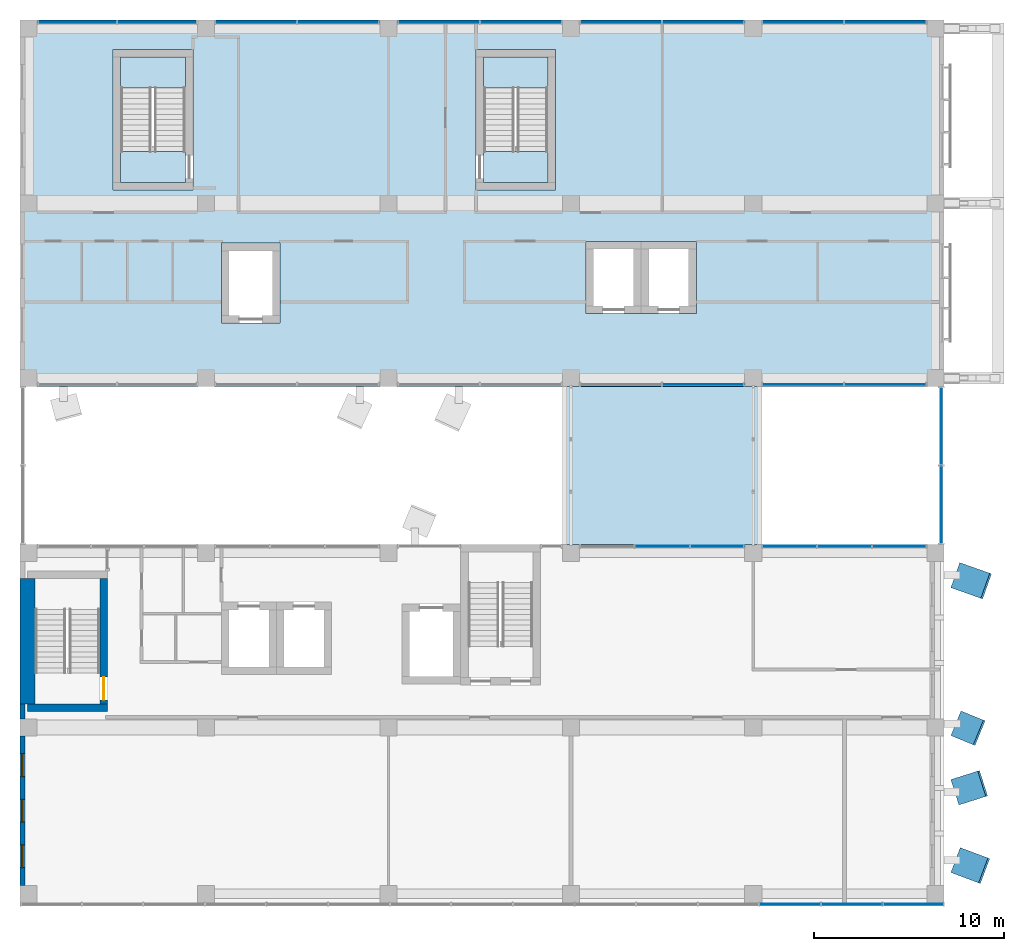
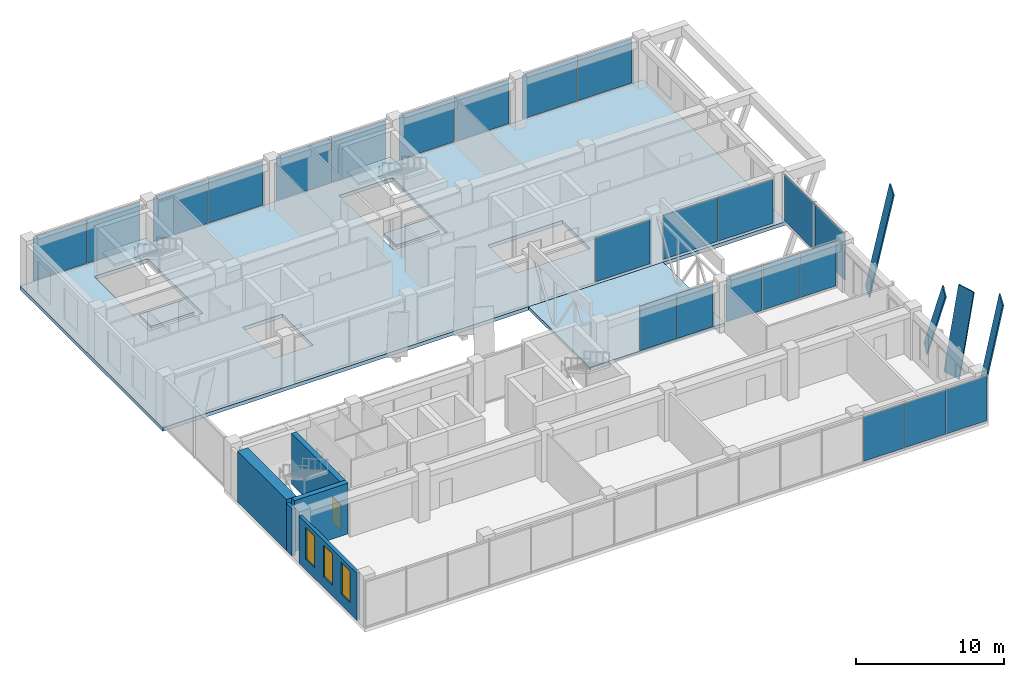
# One storey, part 27 of 38: 27 plates, 6 slabs, 5 walls, 3 windows, 1 door, 4 openings, 13 elements without a shape of their own.
"""IFC4 building model written with IfcOpenShell, lengths in metres."""

import ifcopenshell
import ifcopenshell.guid

model = None  # the IFC model being written
_history = None  # IfcOwnerHistory: only IFC2X3 demands one
_inside = {}  # id of a spatial element -> (the spatial element, [elements in it])
_under = {}  # id of a project, library or spatial element -> (it, [spatial elements below it])
_declared = {}  # id of a project -> (the project, [libraries it declares])
_typed = {}  # id of a type object -> (the type object, [elements of that type])
_made_of = {}  # id of a material, layer set ... -> (it, [elements and type objects made of it])


def new_model(schema):
    """Start an empty IFC model of exactly this schema.

    Asked for "IFC4X3", IfcOpenShell would pick the latest addendum, in which some entities
    have other attributes; the version numbers below select the first issue.
    IFC2X3 requires an IfcOwnerHistory on every rooted entity: one is made here for all.
    """
    global model, _history
    if schema == "IFC4X3":
        model = ifcopenshell.file(schema_version=(4, 3, 0, 0))
    else:
        model = ifcopenshell.file(schema=schema)
    _inside.clear()
    _under.clear()
    _declared.clear()
    _typed.clear()
    _made_of.clear()
    _history = None
    if model.schema == "IFC2X3":
        org = make("IfcOrganization", Name="unknown")
        user = make(
            "IfcPersonAndOrganization",
            ThePerson=make("IfcPerson", FamilyName="unknown"),
            TheOrganization=org,
        )
        app = make(
            "IfcApplication",
            ApplicationDeveloper=org,
            Version="unknown",
            ApplicationFullName="unknown",
            ApplicationIdentifier="unknown",
        )
        _history = make(
            "IfcOwnerHistory",
            OwningUser=user,
            OwningApplication=app,
            ChangeAction="ADDED",
            CreationDate=0,
        )
    return model


def make(cls, **values):
    """One entity of the class cls with the attributes given. An attribute that is None is left unset."""
    return model.create_entity(
        cls, **{name: value for name, value in values.items() if value is not None}
    )


def rooted(cls, **values):
    """An entity with a GlobalId (a new one), such as an element, a storey or a relation."""
    return make(cls, GlobalId=ifcopenshell.guid.new(), OwnerHistory=_history, **values)


def si_unit(unit_type, name, prefix=None):
    """IfcSIUnit, for example si_unit("LENGTHUNIT", "METRE", prefix="MILLI")."""
    return make("IfcSIUnit", UnitType=unit_type, Prefix=prefix, Name=name)


def assignment(units):
    """IfcUnitAssignment: the units of a project."""
    return None if units is None else make("IfcUnitAssignment", Units=units)


def point(xyz):
    """IfcCartesianPoint."""
    return None if xyz is None else make("IfcCartesianPoint", Coordinates=xyz)


def direction(xyz):
    """IfcDirection."""
    return None if xyz is None else make("IfcDirection", DirectionRatios=xyz)


def frame(location, z_axis=None, x_axis=None):
    """IfcAxis2Placement3D, a coordinate frame: its origin and axes. An axis left out is left unset."""
    return make(
        "IfcAxis2Placement3D",
        Location=point(location),
        Axis=direction(z_axis),
        RefDirection=direction(x_axis),
    )


def frame_2d(location, x_axis=None):
    """IfcAxis2Placement2D, a coordinate frame in the plane: its origin and x axis."""
    return make(
        "IfcAxis2Placement2D", Location=point(location), RefDirection=direction(x_axis)
    )


def origin():
    """The frame at (0, 0, 0) with its axes left unset."""
    return frame((0.0, 0.0, 0.0))


def origin_2d():
    """The frame at (0, 0) in the plane with its x axis left unset."""
    return frame_2d((0.0, 0.0))


def place(relative_to, where):
    """IfcLocalPlacement: puts the frame where relative to a parent placement (None: the world)."""
    return make(
        "IfcLocalPlacement", PlacementRelTo=relative_to, RelativePlacement=where
    )


def context(
    kind, dimensions, precision=None, world=None, true_north=None, identifier=None
):
    """IfcGeometricRepresentationContext, for example the 3D "Model" context."""
    return make(
        "IfcGeometricRepresentationContext",
        ContextIdentifier=identifier,
        ContextType=kind,
        CoordinateSpaceDimension=dimensions,
        Precision=precision,
        WorldCoordinateSystem=world,
        TrueNorth=true_north,
    )


def subcontext(parent, identifier, kind, view, scale=None):
    """IfcGeometricRepresentationSubContext, for example "Body" below "Model"."""
    return make(
        "IfcGeometricRepresentationSubContext",
        ContextIdentifier=identifier,
        ContextType=kind,
        ParentContext=parent,
        TargetScale=scale,
        TargetView=view,
    )


def project(units=None, contexts=None):
    """IfcProject with its units and contexts."""
    return rooted(
        "IfcProject",
        Name="project",
        RepresentationContexts=contexts,
        UnitsInContext=assignment(units),
    )


def spatial(cls, under=None, at=None, **own):
    """A site, building, storey or space (cls), placed at a placement, below another one or the project."""
    s = rooted(cls, ObjectPlacement=at, **own)
    if under is not None:
        _under.setdefault(under.id(), (under, []))[1].append(s)
    return s


def polyline(points):
    """IfcPolyline through the points."""
    return make("IfcPolyline", Points=[point(p) for p in points])


def profile(cls, at=None, kind="AREA", **sizes):
    """A parametric profile (cls). Its sizes go by their IFC names, for example OverallWidth=200.0."""
    return make(cls, ProfileType=kind, Position=at, **sizes)


def rectangle(**sizes):
    """IfcRectangleProfileDef."""
    return profile("IfcRectangleProfileDef", **sizes)


def outline(outer, holes=None, kind="AREA"):
    """IfcArbitraryClosedProfileDef: a profile drawn as a closed curve; with holes, ...WithVoids."""
    if holes is None:
        return make("IfcArbitraryClosedProfileDef", ProfileType=kind, OuterCurve=outer)
    return make(
        "IfcArbitraryProfileDefWithVoids",
        ProfileType=kind,
        OuterCurve=outer,
        InnerCurves=holes,
    )


def extrude(swept, where, along, depth):
    """IfcExtrudedAreaSolid: the profile swept, set in the frame where, extruded along a direction by depth."""
    return make(
        "IfcExtrudedAreaSolid",
        SweptArea=swept,
        Position=where,
        ExtrudedDirection=direction(along),
        Depth=depth,
    )


def shape(context_of_items, identifier, shape_type, items):
    """IfcShapeRepresentation: the items that make up one representation, for example the "Body"."""
    return make(
        "IfcShapeRepresentation",
        ContextOfItems=context_of_items,
        RepresentationIdentifier=identifier,
        RepresentationType=shape_type,
        Items=items,
    )


def material(Name=None, Category=None):
    """IfcMaterial."""
    return make("IfcMaterial", Name=Name, Category=Category)


def layer(
    of_material, thickness, ventilated=None, Name=None, Category=None, Priority=None
):
    """IfcMaterialLayer: one layer of a wall or slab, of a material (None: an air gap)."""
    return make(
        "IfcMaterialLayer",
        Material=of_material,
        LayerThickness=thickness,
        IsVentilated=ventilated,
        Name=Name,
        Category=Category,
        Priority=Priority,
    )


def layer_set(layers, Name=None):
    """IfcMaterialLayerSet."""
    return make("IfcMaterialLayerSet", MaterialLayers=layers, LayerSetName=Name)


def layer_usage(for_layer_set, set_direction, sense, offset, extent=None):
    """IfcMaterialLayerSetUsage: how a layer set lies in its element."""
    return make(
        "IfcMaterialLayerSetUsage",
        ForLayerSet=for_layer_set,
        LayerSetDirection=set_direction,
        DirectionSense=sense,
        OffsetFromReferenceLine=offset,
        ReferenceExtent=extent,
    )


def material_profile(
    of_material, cross_section, Name=None, Category=None, Priority=None
):
    """IfcMaterialProfile: a cross section and its material."""
    return make(
        "IfcMaterialProfile",
        Name=Name,
        Material=of_material,
        Profile=cross_section,
        Priority=Priority,
        Category=Category,
    )


def profile_set(profiles, Name=None, composite=None):
    """IfcMaterialProfileSet."""
    return make(
        "IfcMaterialProfileSet",
        Name=Name,
        MaterialProfiles=profiles,
        CompositeProfile=composite,
    )


def made_of(thing, what):
    """Note that an element or type object is made of a material, layer set ...; save() writes the relation."""
    if what is not None:
        _made_of.setdefault(what.id(), (what, []))[1].append(thing)
    return thing


def type_object(cls, material=None, **own):
    """A type object (cls), such as IfcWallType, which elements share."""
    return made_of(rooted(cls, **own), material)


def element(
    cls,
    number,
    at=None,
    inside=None,
    cuts=None,
    type_object=None,
    material=None,
    context=None,
    identifier="Body",
    shape_type=None,
    held_by="IfcProductDefinitionShape",
    body=None,
    shapes=None,
    **own,
):
    """One element of the class cls, such as IfcWall. Its Tag is "e" and its number.

    at: its placement. inside: the storey or other place that contains it. cuts: it is an
    opening in that element (IfcRelVoidsElement). A single representation is given by context,
    identifier, shape_type and body (its items); several are given by shapes. held_by: the class
    of the entity that holds the representations. save() writes the other relations.
    """
    e = rooted(cls, Tag="e%d" % number, ObjectPlacement=at, **own)
    if body is not None:
        shapes = [shape(context, identifier, shape_type, body)]
    if shapes is not None:
        e.Representation = make(held_by, Representations=shapes)
    if inside is not None:
        _inside.setdefault(inside.id(), (inside, []))[1].append(e)
    if cuts is not None:
        rooted(
            "IfcRelVoidsElement", RelatingBuildingElement=cuts, RelatedOpeningElement=e
        )
    if type_object is not None:
        _typed.setdefault(type_object.id(), (type_object, []))[1].append(e)
    return made_of(e, material)


def fill(opening, filler):
    """IfcRelFillsElement: the door or window that sits in an opening."""
    return rooted(
        "IfcRelFillsElement",
        RelatingOpeningElement=opening,
        RelatedBuildingElement=filler,
    )


def aggregate(whole, parts):
    """IfcRelAggregates: a whole, such as a stair, and the parts it consists of."""
    return rooted("IfcRelAggregates", RelatingObject=whole, RelatedObjects=parts)


def save(model, path):
    """Write the relations noted so far, then the file.

    IfcRelAggregates (storeys below a building ...), IfcRelContainedInSpatialStructure (elements
    in a storey), IfcRelDefinesByType, IfcRelAssociatesMaterial and IfcRelDeclares: one each for
    every whole, place, type object, material and project.
    """
    for whole, parts in _under.values():
        aggregate(whole, parts)
    for where, things in _inside.values():
        rooted(
            "IfcRelContainedInSpatialStructure",
            RelatedElements=things,
            RelatingStructure=where,
        )
    for kind, things in _typed.values():
        rooted("IfcRelDefinesByType", RelatedObjects=things, RelatingType=kind)
    for what, things in _made_of.values():
        rooted("IfcRelAssociatesMaterial", RelatedObjects=things, RelatingMaterial=what)
    for by, libraries in _declared.values():
        rooted("IfcRelDeclares", RelatingContext=by, RelatedDefinitions=libraries)
    model.write(path)


model = new_model("IFC4")

# Units and contexts
model_context = context("Model", 3, precision=1e-05, world=origin(), true_north=direction((0.0, 1.0)))
body_context = subcontext(model_context, "Body", "Model", "MODEL_VIEW")
ifc_project = project(units=[si_unit("LENGTHUNIT", "METRE"), si_unit("AREAUNIT", "SQUARE_METRE"), si_unit("VOLUMEUNIT", "CUBIC_METRE"), si_unit("PLANEANGLEUNIT", "RADIAN"), si_unit("MASSUNIT", "GRAM", prefix="KILO")], contexts=[model_context])

# Site, building, storey
site_placement = place(None, origin())
site = spatial("IfcSite", under=ifc_project, at=site_placement, CompositionType="ELEMENT")
building_placement = place(site_placement, origin())
building = spatial("IfcBuilding", under=site, at=building_placement, Name="Nzadi Deep Aquarium and Research Tower", CompositionType="ELEMENT")
storey_placement = place(building_placement, frame((0.0, 0.0, 48.699951171875)))
storey = spatial("IfcBuildingStorey", under=building, at=storey_placement, Name="L09", CompositionType="ELEMENT", Elevation=48.699951171875)

# Plates
ifc_material_1 = material(Name="Anodised aluminium, bright", Category="aluminium")
ifc_material_profile_1 = material_profile(ifc_material_1, rectangle(XDim=1.39990234375, YDim=0.10009765625, at=origin_2d()))
ifc_profile_set_1 = profile_set([ifc_material_profile_1], Name="Anodised aluminium, bright")
plate_type_1 = type_object("IfcPlateType", Name="Fold blade anodised aluminium 1400x100, 4.8 m", PredefinedType="SHEET", material=ifc_profile_set_1)
plate_1_placement = place(storey_placement, frame((49.115478515625, 9.409912109375, 0.013427734375), z_axis=(0.245726908105, -0.100762783059, 0.964087728468), x_axis=(0.379400828582, 0.925232409328, 0.0)))
element("IfcPlate", 1, at=plate_1_placement, inside=storey, type_object=plate_type_1, Name="FD009 fold blade EA L09", PredefinedType="SHEET", context=body_context, shape_type="SweptSolid", body=[
    extrude(rectangle(XDim=1.39990234375, YDim=0.10009765625, at=origin_2d()), origin(), (0.0, 0.0, 1.0), 4.7998046875),
])
ifc_material_2 = material(Name="Anodised aluminium, bright", Category="aluminium")
ifc_material_profile_2 = material_profile(ifc_material_2, rectangle(XDim=1.39990234375, YDim=0.10009765625, at=origin_2d()))
ifc_profile_set_2 = profile_set([ifc_material_profile_2], Name="Anodised aluminium, bright")
plate_type_2 = type_object("IfcPlateType", Name="Fold blade anodised aluminium 1400x100, 6.6 m", PredefinedType="SHEET", material=ifc_profile_set_2)
plate_2_placement = place(storey_placement, frame((49.061767578125, 5.81005859375, 0.01123046875), z_axis=(0.214399181439, 0.067989250429, 0.974376956226), x_axis=(-0.302280308746, 0.953219080246, 0.0)))
element("IfcPlate", 2, at=plate_2_placement, inside=storey, type_object=plate_type_2, Name="FD008 fold blade EA L09", PredefinedType="SHEET", context=body_context, shape_type="SweptSolid", body=[
    extrude(rectangle(XDim=1.39990234375, YDim=0.10009765625, at=origin_2d()), origin(), (0.0, 0.0, 1.0), 6.60009765625),
])
ifc_material_3 = material(Name="Anodised aluminium, bright", Category="aluminium")
ifc_material_profile_3 = material_profile(ifc_material_3, rectangle(XDim=1.39990234375, YDim=0.10009765625, at=origin_2d()))
ifc_profile_set_3 = profile_set([ifc_material_profile_3], Name="Anodised aluminium, bright")
plate_type_3 = type_object("IfcPlateType", Name="Fold blade anodised aluminium 1400x100, 8.4 m", PredefinedType="SHEET", material=ifc_profile_set_3)
plate_3_placement = place(storey_placement, frame((49.09521484375, 2.2099609375, 0.00927734375), z_axis=(0.173893464955, -0.065017496424, 0.982615788599), x_axis=(0.350213969133, 0.936669726117, 0.0)))
element("IfcPlate", 3, at=plate_3_placement, inside=storey, type_object=plate_type_3, Name="FD007 fold blade EA L09", PredefinedType="SHEET", context=body_context, shape_type="SweptSolid", body=[
    extrude(rectangle(XDim=1.39990234375, YDim=0.10009765625, at=origin_2d()), origin(), (0.0, 0.0, 1.0), 8.39990234375),
])
plate_4_placement = place(storey_placement, frame((49.083740234375, 17.2099609375, 0.010009765625), z_axis=(0.187928441923, -0.066556778844, 0.979925046066), x_axis=(0.333841744972, 0.942629136678, 0.0)))
element("IfcPlate", 4, at=plate_4_placement, inside=storey, type_object=plate_type_3, Name="FD010 fold blade EA L09", PredefinedType="SHEET", context=body_context, shape_type="SweptSolid", body=[
    extrude(rectangle(XDim=1.39990234375, YDim=0.10009765625, at=origin_2d()), origin(), (0.0, 0.0, 1.0), 8.400146484375),
])

# Curtain wall, plates
ifc_material_4 = material(Name="Aluminium unitised frame", Category="aluminium")
ifc_layer_1 = layer(ifc_material_4, 0.199951171875)
ifc_layer_set_1 = layer_set([ifc_layer_1], Name="Aluminium unitised frame")
curtain_wall_type_1 = type_object("IfcCurtainWallType", Name="Curtain wall Unitised 200", PredefinedType="NOTDEFINED", material=ifc_layer_set_1)
curtain_wall_1_placement = place(storey_placement, origin())
curtain_wall_1 = element("IfcCurtainWall", 5, at=curtain_wall_1_placement, inside=storey, type_object=curtain_wall_type_1, Name="Unitised curtain wall blade A south L09", PredefinedType="NOTDEFINED")
ifc_material_5 = material(Name="Glass, sage tint", Category="glass")
ifc_layer_2 = layer(ifc_material_5, 0.035888671875)
ifc_layer_set_2 = layer_set([ifc_layer_2], Name="Glass, sage tint")
plate_type_4 = type_object("IfcPlateType", Name="Glazing panel 36 Unitised", PredefinedType="CURTAIN_PANEL", material=ifc_layer_set_2)
plate_5_placement = place(storey_placement, frame((40.341552734375, -0.10009765625, 0.1201171875), z_axis=(0.0, 0.0, 1.0), x_axis=(1.0, 0.0, 0.0)))
plate_5 = element("IfcPlate", 6, at=plate_5_placement, type_object=plate_type_4, Name="CW029 panel 13.1", PredefinedType="CURTAIN_PANEL", context=body_context, shape_type="SweptSolid", body=[
    extrude(rectangle(XDim=3.183349609375, YDim=0.035888671875, at=origin_2d()), origin(), (0.0, 0.0, 1.0), 3.659912109375),
])
plate_6_placement = place(storey_placement, frame((43.5849609375, -0.10009765625, 0.1201171875), z_axis=(0.0, 0.0, 1.0), x_axis=(1.0, 0.0, 0.0)))
plate_6 = element("IfcPlate", 7, at=plate_6_placement, type_object=plate_type_4, Name="CW029 panel 14.1", PredefinedType="CURTAIN_PANEL", context=body_context, shape_type="SweptSolid", body=[
    extrude(rectangle(XDim=3.183349609375, YDim=0.035888671875, at=origin_2d()), origin(), (0.0, 0.0, 1.0), 3.659912109375),
])
plate_7_placement = place(storey_placement, frame((46.813232421875, -0.10009765625, 0.1201171875), z_axis=(0.0, 0.0, 1.0), x_axis=(1.0, 0.0, 0.0)))
plate_7 = element("IfcPlate", 8, at=plate_7_placement, type_object=plate_type_4, Name="CW029 panel 15.1", PredefinedType="CURTAIN_PANEL", context=body_context, shape_type="SweptSolid", body=[
    extrude(rectangle(XDim=3.1533203125, YDim=0.035888671875, at=origin_2d()), origin(), (0.0, 0.0, 1.0), 3.659912109375),
])
aggregate(curtain_wall_1, [plate_5, plate_6, plate_7])

curtain_wall_2_placement = place(storey_placement, origin())
curtain_wall_2 = element("IfcCurtainWall", 9, at=curtain_wall_2_placement, inside=storey, type_object=curtain_wall_type_1, Name="Unitised curtain wall blade A north L09", PredefinedType="NOTDEFINED")
plate_8_placement = place(storey_placement, frame((33.60009765625, 18.75, 0.1201171875), z_axis=(0.0, 0.0, 1.0), x_axis=(1.0, 0.0, 0.0)))
plate_8 = element("IfcPlate", 10, at=plate_8_placement, type_object=plate_type_4, Name="CW034 panel 2.1", PredefinedType="CURTAIN_PANEL", context=body_context, shape_type="SweptSolid", body=[
    extrude(rectangle(XDim=2.840087890625, YDim=0.035888671875, at=origin_2d()), origin(), (0.0, 0.0, 1.0), 3.659912109375),
])
plate_9_placement = place(storey_placement, frame((36.485107421875, 18.75, 0.1201171875), z_axis=(0.0, 0.0, 1.0), x_axis=(1.0, 0.0, 0.0)))
plate_9 = element("IfcPlate", 11, at=plate_9_placement, type_object=plate_type_4, Name="CW034 panel 3.1", PredefinedType="CURTAIN_PANEL", context=body_context, shape_type="SweptSolid", body=[
    extrude(rectangle(XDim=2.81005859375, YDim=0.035888671875, at=origin_2d()), origin(), (0.0, 0.0, 1.0), 3.659912109375),
])
aggregate(curtain_wall_2, [plate_8, plate_9])

curtain_wall_3_placement = place(storey_placement, origin())
curtain_wall_3 = element("IfcCurtainWall", 12, at=curtain_wall_3_placement, inside=storey, type_object=curtain_wall_type_1, Name="Unitised curtain wall blade A north L09", PredefinedType="NOTDEFINED")
plate_10_placement = place(storey_placement, frame((40.31494140625, 18.75, 0.1201171875), z_axis=(0.0, 0.0, 1.0), x_axis=(1.0, 0.0, 0.0)))
plate_10 = element("IfcPlate", 13, at=plate_10_placement, type_object=plate_type_4, Name="CW035 panel 1.1", PredefinedType="CURTAIN_PANEL", context=body_context, shape_type="SweptSolid", body=[
    extrude(rectangle(XDim=2.81005859375, YDim=0.035888671875, at=origin_2d()), origin(), (0.0, 0.0, 1.0), 3.659912109375),
])
plate_11_placement = place(storey_placement, frame((43.199951171875, 18.75, 0.1201171875), z_axis=(0.0, 0.0, 1.0), x_axis=(1.0, 0.0, 0.0)))
plate_11 = element("IfcPlate", 14, at=plate_11_placement, type_object=plate_type_4, Name="CW035 panel 2.1", PredefinedType="CURTAIN_PANEL", context=body_context, shape_type="SweptSolid", body=[
    extrude(rectangle(XDim=2.840087890625, YDim=0.035888671875, at=origin_2d()), origin(), (0.0, 0.0, 1.0), 3.659912109375),
])
plate_12_placement = place(storey_placement, frame((46.0849609375, 18.75, 0.1201171875), z_axis=(0.0, 0.0, 1.0), x_axis=(1.0, 0.0, 0.0)))
plate_12 = element("IfcPlate", 15, at=plate_12_placement, type_object=plate_type_4, Name="CW035 panel 3.1", PredefinedType="CURTAIN_PANEL", context=body_context, shape_type="SweptSolid", body=[
    extrude(rectangle(XDim=2.81005859375, YDim=0.035888671875, at=origin_2d()), origin(), (0.0, 0.0, 1.0), 3.659912109375),
])
aggregate(curtain_wall_3, [plate_10, plate_11, plate_12])

# Curtain wall, plate
ifc_material_6 = material(Name="Aluminium unitised frame deep", Category="aluminium")
ifc_layer_3 = layer(ifc_material_6, 0.22509765625)
ifc_layer_set_3 = layer_set([ifc_layer_3], Name="Aluminium unitised frame deep")
curtain_wall_type_2 = type_object("IfcCurtainWallType", Name="Curtain wall Unitised Deep 225", PredefinedType="NOTDEFINED", material=ifc_layer_set_3)
curtain_wall_4_placement = place(storey_placement, origin())
curtain_wall_4 = element("IfcCurtainWall", 16, at=curtain_wall_4_placement, inside=storey, type_object=curtain_wall_type_2, Name="Unitised curtain wall blade B south L09", PredefinedType="NOTDEFINED")
ifc_material_7 = material(Name="Glass, sage tint", Category="glass")
ifc_layer_4 = layer(ifc_material_7, 0.0400390625)
ifc_layer_set_4 = layer_set([ifc_layer_4], Name="Glass, sage tint")
plate_type_5 = type_object("IfcPlateType", Name="Glazing panel 40 Unitised Deep", PredefinedType="CURTAIN_PANEL", material=ifc_layer_set_4)
plate_13_placement = place(storey_placement, frame((35.760009765625, 27.262451171875, 0.139892578125), z_axis=(0.0, 0.0, 1.0), x_axis=(1.0, 0.0, 0.0)))
plate_13 = element("IfcPlate", 17, at=plate_13_placement, type_object=plate_type_5, Name="CW121 panel 2.1", PredefinedType="CURTAIN_PANEL", context=body_context, shape_type="SweptSolid", body=[
    extrude(rectangle(XDim=4.260009765625, YDim=0.0400390625, at=origin_2d()), origin(), (0.0, 0.0, 1.0), 3.6201171875),
])
aggregate(curtain_wall_4, [plate_13])

# Curtain wall, plates
curtain_wall_5_placement = place(storey_placement, origin())
curtain_wall_5 = element("IfcCurtainWall", 18, at=curtain_wall_5_placement, inside=storey, type_object=curtain_wall_type_2, Name="Unitised curtain wall blade B south L09", PredefinedType="NOTDEFINED")
plate_14_placement = place(storey_placement, frame((41.0400390625, 27.262451171875, 0.139892578125), z_axis=(0.0, 0.0, 1.0), x_axis=(1.0, 0.0, 0.0)))
plate_14 = element("IfcPlate", 19, at=plate_14_placement, type_object=plate_type_5, Name="CW122 panel 1.1", PredefinedType="CURTAIN_PANEL", context=body_context, shape_type="SweptSolid", body=[
    extrude(rectangle(XDim=4.260009765625, YDim=0.0400390625, at=origin_2d()), origin(), (0.0, 0.0, 1.0), 3.6201171875),
])
plate_15_placement = place(storey_placement, frame((45.360107421875, 27.262451171875, 0.139892578125), z_axis=(0.0, 0.0, 1.0), x_axis=(1.0, 0.0, 0.0)))
plate_15 = element("IfcPlate", 20, at=plate_15_placement, type_object=plate_type_5, Name="CW122 panel 2.1", PredefinedType="CURTAIN_PANEL", context=body_context, shape_type="SweptSolid", body=[
    extrude(rectangle(XDim=4.260009765625, YDim=0.0400390625, at=origin_2d()), origin(), (0.0, 0.0, 1.0), 3.6201171875),
])
aggregate(curtain_wall_5, [plate_14, plate_15])

curtain_wall_6_placement = place(storey_placement, origin())
curtain_wall_6 = element("IfcCurtainWall", 21, at=curtain_wall_6_placement, inside=storey, type_object=curtain_wall_type_2, Name="Unitised curtain wall blade B north L09", PredefinedType="NOTDEFINED")
plate_16_placement = place(storey_placement, frame((2.827392578125, 46.33740234375, 0.139892578125), z_axis=(0.0, 0.0, 1.0), x_axis=(1.0, 0.0, 0.0)))
plate_16 = element("IfcPlate", 22, at=plate_16_placement, type_object=plate_type_5, Name="CW123 panel 1.1", PredefinedType="CURTAIN_PANEL", context=body_context, shape_type="SweptSolid", body=[
    extrude(rectangle(XDim=4.135009765625, YDim=0.0400390625, at=origin_2d()), origin(), (0.0, 0.0, 1.0), 3.6201171875),
])
plate_17_placement = place(storey_placement, frame((7.0224609375, 46.33740234375, 0.139892578125), z_axis=(0.0, 0.0, 1.0), x_axis=(1.0, 0.0, 0.0)))
plate_17 = element("IfcPlate", 23, at=plate_17_placement, type_object=plate_type_5, Name="CW123 panel 2.1", PredefinedType="CURTAIN_PANEL", context=body_context, shape_type="SweptSolid", body=[
    extrude(rectangle(XDim=4.135009765625, YDim=0.0400390625, at=origin_2d()), origin(), (0.0, 0.0, 1.0), 3.6201171875),
])
aggregate(curtain_wall_6, [plate_16, plate_17])

curtain_wall_7_placement = place(storey_placement, origin())
curtain_wall_7 = element("IfcCurtainWall", 24, at=curtain_wall_7_placement, inside=storey, type_object=curtain_wall_type_2, Name="Unitised curtain wall blade B north L09", PredefinedType="NOTDEFINED")
plate_18_placement = place(storey_placement, frame((12.239990234375, 46.33740234375, 0.139892578125), z_axis=(0.0, 0.0, 1.0), x_axis=(1.0, 0.0, 0.0)))
plate_18 = element("IfcPlate", 25, at=plate_18_placement, type_object=plate_type_5, Name="CW124 panel 1.1", PredefinedType="CURTAIN_PANEL", context=body_context, shape_type="SweptSolid", body=[
    extrude(rectangle(XDim=4.260009765625, YDim=0.0400390625, at=origin_2d()), origin(), (0.0, 0.0, 1.0), 3.6201171875),
])
plate_19_placement = place(storey_placement, frame((16.56005859375, 46.33740234375, 0.139892578125), z_axis=(0.0, 0.0, 1.0), x_axis=(1.0, 0.0, 0.0)))
plate_19 = element("IfcPlate", 26, at=plate_19_placement, type_object=plate_type_5, Name="CW124 panel 2.1", PredefinedType="CURTAIN_PANEL", context=body_context, shape_type="SweptSolid", body=[
    extrude(rectangle(XDim=4.260009765625, YDim=0.0400390625, at=origin_2d()), origin(), (0.0, 0.0, 1.0), 3.6201171875),
])
aggregate(curtain_wall_7, [plate_18, plate_19])

curtain_wall_8_placement = place(storey_placement, origin())
curtain_wall_8 = element("IfcCurtainWall", 27, at=curtain_wall_8_placement, inside=storey, type_object=curtain_wall_type_2, Name="Unitised curtain wall blade B north L09", PredefinedType="NOTDEFINED")
plate_20_placement = place(storey_placement, frame((21.840087890625, 46.33740234375, 0.139892578125), z_axis=(0.0, 0.0, 1.0), x_axis=(1.0, 0.0, 0.0)))
plate_20 = element("IfcPlate", 28, at=plate_20_placement, type_object=plate_type_5, Name="CW125 panel 1.1", PredefinedType="CURTAIN_PANEL", context=body_context, shape_type="SweptSolid", body=[
    extrude(rectangle(XDim=4.260009765625, YDim=0.0400390625, at=origin_2d()), origin(), (0.0, 0.0, 1.0), 3.6201171875),
])
plate_21_placement = place(storey_placement, frame((26.159912109375, 46.33740234375, 0.139892578125), z_axis=(0.0, 0.0, 1.0), x_axis=(1.0, 0.0, 0.0)))
plate_21 = element("IfcPlate", 29, at=plate_21_placement, type_object=plate_type_5, Name="CW125 panel 2.1", PredefinedType="CURTAIN_PANEL", context=body_context, shape_type="SweptSolid", body=[
    extrude(rectangle(XDim=4.260009765625, YDim=0.0400390625, at=origin_2d()), origin(), (0.0, 0.0, 1.0), 3.6201171875),
])
aggregate(curtain_wall_8, [plate_20, plate_21])

curtain_wall_9_placement = place(storey_placement, origin())
curtain_wall_9 = element("IfcCurtainWall", 30, at=curtain_wall_9_placement, inside=storey, type_object=curtain_wall_type_2, Name="Unitised curtain wall blade B north L09", PredefinedType="NOTDEFINED")
plate_22_placement = place(storey_placement, frame((31.43994140625, 46.33740234375, 0.139892578125), z_axis=(0.0, 0.0, 1.0), x_axis=(1.0, 0.0, 0.0)))
plate_22 = element("IfcPlate", 31, at=plate_22_placement, type_object=plate_type_5, Name="CW126 panel 1.1", PredefinedType="CURTAIN_PANEL", context=body_context, shape_type="SweptSolid", body=[
    extrude(rectangle(XDim=4.260009765625, YDim=0.0400390625, at=origin_2d()), origin(), (0.0, 0.0, 1.0), 3.6201171875),
])
plate_23_placement = place(storey_placement, frame((35.760009765625, 46.33740234375, 0.139892578125), z_axis=(0.0, 0.0, 1.0), x_axis=(1.0, 0.0, 0.0)))
plate_23 = element("IfcPlate", 32, at=plate_23_placement, type_object=plate_type_5, Name="CW126 panel 2.1", PredefinedType="CURTAIN_PANEL", context=body_context, shape_type="SweptSolid", body=[
    extrude(rectangle(XDim=4.260009765625, YDim=0.0400390625, at=origin_2d()), origin(), (0.0, 0.0, 1.0), 3.6201171875),
])
aggregate(curtain_wall_9, [plate_22, plate_23])

curtain_wall_10_placement = place(storey_placement, origin())
curtain_wall_10 = element("IfcCurtainWall", 33, at=curtain_wall_10_placement, inside=storey, type_object=curtain_wall_type_2, Name="Unitised curtain wall blade B north L09", PredefinedType="NOTDEFINED")
plate_24_placement = place(storey_placement, frame((41.0400390625, 46.33740234375, 0.139892578125), z_axis=(0.0, 0.0, 1.0), x_axis=(1.0, 0.0, 0.0)))
plate_24 = element("IfcPlate", 34, at=plate_24_placement, type_object=plate_type_5, Name="CW127 panel 1.1", PredefinedType="CURTAIN_PANEL", context=body_context, shape_type="SweptSolid", body=[
    extrude(rectangle(XDim=4.260009765625, YDim=0.0400390625, at=origin_2d()), origin(), (0.0, 0.0, 1.0), 3.6201171875),
])
plate_25_placement = place(storey_placement, frame((45.360107421875, 46.33740234375, 0.139892578125), z_axis=(0.0, 0.0, 1.0), x_axis=(1.0, 0.0, 0.0)))
plate_25 = element("IfcPlate", 35, at=plate_25_placement, type_object=plate_type_5, Name="CW127 panel 2.1", PredefinedType="CURTAIN_PANEL", context=body_context, shape_type="SweptSolid", body=[
    extrude(rectangle(XDim=4.260009765625, YDim=0.0400390625, at=origin_2d()), origin(), (0.0, 0.0, 1.0), 3.6201171875),
])
aggregate(curtain_wall_10, [plate_24, plate_25])

ifc_material_8 = material(Name="Aluminium unitised frame wind post", Category="aluminium")
ifc_layer_5 = layer(ifc_material_8, 0.300048828125)
ifc_layer_set_5 = layer_set([ifc_layer_5], Name="Aluminium unitised frame wind post")
curtain_wall_type_3 = type_object("IfcCurtainWallType", Name="Curtain wall Slot End 300", PredefinedType="NOTDEFINED", material=ifc_layer_set_5)
curtain_wall_11_placement = place(storey_placement, origin())
curtain_wall_11 = element("IfcCurtainWall", 36, at=curtain_wall_11_placement, inside=storey, type_object=curtain_wall_type_3, Name="Glazed slot end east L09", PredefinedType="NOTDEFINED")
ifc_material_9 = material(Name="Glass, sage tint", Category="glass")
ifc_layer_6 = layer(ifc_material_9, 0.0439453125)
ifc_layer_set_6 = layer_set([ifc_layer_6], Name="Glass, sage tint")
plate_type_6 = type_object("IfcPlateType", Name="Glazing panel 44 Slot End", PredefinedType="CURTAIN_PANEL", material=ifc_layer_set_6)
plate_26_placement = place(storey_placement, frame((48.300048828125, 20.93994140625, 0.16015625), z_axis=(0.0, 0.0, 1.0), x_axis=(0.0, 1.0, 0.0)))
plate_26 = element("IfcPlate", 37, at=plate_26_placement, type_object=plate_type_6, Name="CW210 panel 1.1", PredefinedType="CURTAIN_PANEL", context=body_context, shape_type="SweptSolid", body=[
    extrude(rectangle(XDim=4.06005859375, YDim=0.0439453125, at=origin_2d()), origin(), (0.0, 0.0, 1.0), 3.8798828125),
])
plate_27_placement = place(storey_placement, frame((48.300048828125, 25.06005859375, 0.16015625), z_axis=(0.0, 0.0, 1.0), x_axis=(0.0, 1.0, 0.0)))
plate_27 = element("IfcPlate", 38, at=plate_27_placement, type_object=plate_type_6, Name="CW210 panel 2.1", PredefinedType="CURTAIN_PANEL", context=body_context, shape_type="SweptSolid", body=[
    extrude(rectangle(XDim=4.06005859375, YDim=0.0439453125, at=origin_2d()), origin(), (0.0, 0.0, 1.0), 3.8798828125),
])
aggregate(curtain_wall_11, [plate_26, plate_27])

# Stair, slabs
ifc_material_10 = material(Name="Concrete C35/45", Category="concrete")
stair_type = type_object("IfcStairType", Name="STAIR RETURN 3000", PredefinedType="NOTDEFINED", material=ifc_material_10)
stair_1_placement = place(storey_placement, origin())
stair_1 = element("IfcStair", 39, at=stair_1_placement, inside=storey, type_object=stair_type, Name="Stair ST-Z1-NW L09", PredefinedType="HALF_TURN_STAIR")
ifc_material_11 = material(Name="Concrete C35/45", Category="concrete")
ifc_layer_7 = layer(ifc_material_11, 0.199951171875)
ifc_layer_set_7 = layer_set([ifc_layer_7], Name="Concrete C35/45")
slab_type_1 = type_object("IfcSlabType", Name="LANDING 200", PredefinedType="LANDING", material=ifc_layer_set_7)
slab_1_placement = place(storey_placement, frame((0.0, 0.0, -0.199951171875)))
slab_1 = element("IfcSlab", 40, at=slab_1_placement, type_object=slab_type_1, Name="ST-Z1-NW landing 1", PredefinedType="LANDING", context=body_context, shape_type="SweptSolid", body=[
    extrude(outline(polyline([(5.10009765625, 37.89990234375), (8.5, 37.89990234375), (8.5, 39.52001953125), (5.10009765625, 39.52001953125), (5.10009765625, 37.89990234375)])), origin(), (0.0, 0.0, 1.0), 0.199951171875),
])
slab_2_placement = place(storey_placement, frame((0.0, 0.0, 1.900146484375)))
slab_2 = element("IfcSlab", 41, at=slab_2_placement, type_object=slab_type_1, Name="ST-Z1-NW landing 2", PredefinedType="LANDING", context=body_context, shape_type="SweptSolid", body=[
    extrude(outline(polyline([(5.10009765625, 42.8798828125), (8.5, 42.8798828125), (8.5, 44.5), (5.10009765625, 44.5), (5.10009765625, 42.8798828125)])), origin(), (0.0, 0.0, 1.0), 0.199951171875),
])
aggregate(stair_1, [slab_1, slab_2])

stair_2_placement = place(storey_placement, origin())
stair_2 = element("IfcStair", 42, at=stair_2_placement, inside=storey, type_object=stair_type, Name="Stair ST-Z1-NE L09", PredefinedType="HALF_TURN_STAIR")
slab_3_placement = place(storey_placement, frame((0.0, 0.0, -0.199951171875)))
slab_3 = element("IfcSlab", 43, at=slab_3_placement, type_object=slab_type_1, Name="ST-Z1-NE landing 1", PredefinedType="LANDING", context=body_context, shape_type="SweptSolid", body=[
    extrude(outline(polyline([(24.199951171875, 37.89990234375), (27.60009765625, 37.89990234375), (27.60009765625, 39.52001953125), (24.199951171875, 39.52001953125), (24.199951171875, 37.89990234375)])), origin(), (0.0, 0.0, 1.0), 0.199951171875),
])
slab_4_placement = place(storey_placement, frame((0.0, 0.0, 1.900146484375)))
slab_4 = element("IfcSlab", 44, at=slab_4_placement, type_object=slab_type_1, Name="ST-Z1-NE landing 2", PredefinedType="LANDING", context=body_context, shape_type="SweptSolid", body=[
    extrude(outline(polyline([(24.199951171875, 42.8798828125), (27.60009765625, 42.8798828125), (27.60009765625, 44.5), (24.199951171875, 44.5), (24.199951171875, 42.8798828125)])), origin(), (0.0, 0.0, 1.0), 0.199951171875),
])
aggregate(stair_2, [slab_3, slab_4])

# Slabs
ifc_material_12 = material(Name="Concrete C35/45", Category="concrete")
ifc_layer_8 = layer(ifc_material_12, 0.25)
ifc_layer_set_8 = layer_set([ifc_layer_8], Name="Concrete C35/45")
slab_type_2 = type_object("IfcSlabType", Name="RC floor slab 250", PredefinedType="FLOOR", material=ifc_layer_set_8)
slab_5_placement = place(storey_placement, frame((0.0, 0.0, -0.25)))
element("IfcSlab", 45, at=slab_5_placement, inside=storey, type_object=slab_type_2, Name="Bridge deck L09", PredefinedType="FLOOR", context=body_context, shape_type="SweptSolid", body=[
    extrude(outline(polyline([(38.85009765625, 18.85009765625), (38.85009765625, 27.14990234375), (28.35009765625, 27.14990234375), (28.35009765625, 18.85009765625), (38.85009765625, 18.85009765625)])), origin(), (0.0, 0.0, 1.0), 0.25),
])
ifc_material_13 = material(Name="Concrete C35/45", Category="concrete")
ifc_layer_9 = layer(ifc_material_13, 0.300048828125)
ifc_layer_set_9 = layer_set([ifc_layer_9], Name="Concrete C35/45")
slab_type_3 = type_object("IfcSlabType", Name="RC floor slab 300", PredefinedType="FLOOR", material=ifc_layer_set_9)
slab_6_placement = place(storey_placement, frame((0.0, 0.0, -0.300048828125)))
element("IfcSlab", 46, at=slab_6_placement, inside=storey, type_object=slab_type_3, Name="Tower floor B L09", PredefinedType="FLOOR", context=body_context, shape_type="SweptSolid", body=[
    extrude(outline(polyline([(-0.199462890625, 27.14990234375), (48.449951171875, 27.14990234375), (48.449951171875, 46.449951171875), (-0.199462890625, 46.449951171875), (-0.199462890625, 27.14990234375)]), holes=[polyline([(8.89990234375, 44.89990234375), (8.89990234375, 37.5), (4.699951171875, 37.5), (4.699951171875, 44.89990234375), (8.89990234375, 44.89990234375)]), polyline([(28.0, 37.5), (23.800048828125, 37.5), (23.800048828125, 44.89990234375), (28.0, 44.89990234375), (28.0, 37.5)]), polyline([(10.39990234375, 30.5), (10.39990234375, 34.699951171875), (13.5, 34.699951171875), (13.5, 30.5), (10.39990234375, 30.5)]), polyline([(29.60009765625, 34.800048828125), (32.5, 34.800048828125), (35.39990234375, 34.800048828125), (35.39990234375, 31.0), (32.5, 31.0), (29.60009765625, 31.0), (29.60009765625, 34.800048828125)])]), origin(), (0.0, 0.0, 1.0), 0.300048828125),
])

# Wall
ifc_material_14 = material(Name="Concrete C35/45", Category="concrete")
ifc_layer_10 = layer(ifc_material_14, 0.14990234375, Category="cladding")
ifc_material_15 = material(Name="Mineral wool insulation")
ifc_layer_11 = layer(ifc_material_15, 0.070068359375, Category="insulation")
ifc_material_16 = material(Name="Gypsum board lining")
ifc_layer_12 = layer(ifc_material_16, 0.030029296875, Category="lining")
ifc_layer_set_10 = layer_set([ifc_layer_10, ifc_layer_11, ifc_layer_12], Name="Concrete C35/45, Mineral wool insulation, Gypsum board lining")
ifc_layer_usage_1 = layer_usage(ifc_layer_set_10, "AXIS2", "POSITIVE", -0.125)
wall_type_1 = type_object("IfcWallType", Name="End wall board-formed concrete 250", PredefinedType="ELEMENTEDWALL", material=ifc_layer_set_10)
wall_1_placement = place(storey_placement, frame((-0.074462890625, 10.449951171875, 0.0), z_axis=(0.0, 0.0, 1.0), x_axis=(0.0, -1.0, 0.0)))
element("IfcWall", 47, at=wall_1_placement, inside=storey, type_object=wall_type_1, material=ifc_layer_usage_1, Name="End wall blade A west L09", PredefinedType="ELEMENTEDWALL", context=body_context, shape_type="SweptSolid", body=[
    extrude(rectangle(XDim=0.800048828125, YDim=0.25, at=frame_2d((0.39990234375, 0.0))), origin(), (0.0, 0.0, 1.0), 3.900146484375),
])

# Wall, openings, windows
ifc_material_17 = material(Name="Graphite aluminium shingle", Category="aluminium")
ifc_layer_13 = layer(ifc_material_17, 0.050048828125, Category="cladding")
ifc_layer_14 = layer(ifc_material_14, 0.10009765625, Category="cladding")
ifc_layer_15 = layer(ifc_material_15, 0.070068359375, Category="insulation")
ifc_layer_16 = layer(ifc_material_16, 0.030029296875, Category="lining")
ifc_layer_set_11 = layer_set([ifc_layer_13, ifc_layer_14, ifc_layer_15, ifc_layer_16], Name="Graphite aluminium shingle, Concrete C35/45, Mineral wool insulation, Gypsum board lining")
ifc_layer_usage_2 = layer_usage(ifc_layer_set_11, "AXIS2", "POSITIVE", -0.125)
wall_type_2 = type_object("IfcWallType", Name="End wall shingle over board-formed concrete 250", PredefinedType="ELEMENTEDWALL", material=ifc_layer_set_11)
wall_2_placement = place(storey_placement, frame((-0.074462890625, 8.75, 0.0), z_axis=(0.0, 0.0, 1.0), x_axis=(0.0, -1.0, 0.0)))
wall_2 = element("IfcWall", 48, at=wall_2_placement, inside=storey, type_object=wall_type_2, material=ifc_layer_usage_2, Name="End wall blade A west L09", PredefinedType="ELEMENTEDWALL", context=body_context, shape_type="SweptSolid", body=[
    extrude(rectangle(XDim=7.85009765625, YDim=0.25, at=frame_2d((3.925048828125, 0.0))), origin(), (0.0, 0.0, 1.0), 3.900146484375),
])
opening_1_placement = place(wall_2_placement, frame((5.72509765625, 0.0, 0.89990234375)))
opening_1 = element("IfcOpeningElement", 49, at=opening_1_placement, cuts=wall_2, Name="Opening WN04", PredefinedType="OPENING", context=body_context, shape_type="SweptSolid", body=[
    extrude(rectangle(XDim=1.199951171875, YDim=2.60009765625, at=frame_2d((0.60009765625, 1.300048828125))), frame((0.0, 0.135009765625, 0.0), z_axis=(0.0, -1.0, 0.0), x_axis=(1.0, 0.0, 0.0)), (0.0, 0.0, 1.0), 0.27001953125),
])
opening_2_placement = place(wall_2_placement, frame((3.324951171875, 0.0, 0.89990234375)))
opening_2 = element("IfcOpeningElement", 50, at=opening_2_placement, cuts=wall_2, Name="Opening WN04", PredefinedType="OPENING", context=body_context, shape_type="SweptSolid", body=[
    extrude(rectangle(XDim=1.199951171875, YDim=2.60009765625, at=frame_2d((0.60009765625, 1.300048828125))), frame((0.0, 0.135009765625, 0.0), z_axis=(0.0, -1.0, 0.0), x_axis=(1.0, 0.0, 0.0)), (0.0, 0.0, 1.0), 0.27001953125),
])
opening_3_placement = place(wall_2_placement, frame((0.925048828125, 0.0, 0.89990234375)))
opening_3 = element("IfcOpeningElement", 51, at=opening_3_placement, cuts=wall_2, Name="Opening WN04", PredefinedType="OPENING", context=body_context, shape_type="SweptSolid", body=[
    extrude(rectangle(XDim=1.199951171875, YDim=2.60009765625, at=frame_2d((0.60009765625, 1.300048828125))), frame((0.0, 0.135009765625, 0.0), z_axis=(0.0, -1.0, 0.0), x_axis=(1.0, 0.0, 0.0)), (0.0, 0.0, 1.0), 0.27001953125),
])
ifc_material_18 = material(Name="Aluminium window, sage tint glazing", Category="aluminium")
window_type = type_object("IfcWindowType", Name="Slot window 1200x2600 sill 900", PartitioningType="SINGLE_PANEL", PredefinedType="WINDOW", material=ifc_material_18)
window_1_placement = place(opening_1_placement, origin())
window_1 = element("IfcWindow", 52, at=window_1_placement, inside=storey, type_object=window_type, Name="Slot window L09 AW", OverallHeight=2.60009765625, OverallWidth=1.199951171875, PartitioningType="SINGLE_PANEL", PredefinedType="WINDOW", context=body_context, shape_type="SweptSolid", body=[
    extrude(rectangle(XDim=1.199951171875, YDim=2.60009765625, at=frame_2d((0.60009765625, 1.300048828125))), frame((0.0, 0.030029296875, 0.0), z_axis=(0.0, -1.0, 0.0), x_axis=(1.0, 0.0, 0.0)), (0.0, 0.0, 1.0), 0.06005859375),
])
fill(opening_1, window_1)
window_2_placement = place(opening_2_placement, origin())
window_2 = element("IfcWindow", 53, at=window_2_placement, inside=storey, type_object=window_type, Name="Slot window L09 AW", OverallHeight=2.60009765625, OverallWidth=1.199951171875, PartitioningType="SINGLE_PANEL", PredefinedType="WINDOW", context=body_context, shape_type="SweptSolid", body=[
    extrude(rectangle(XDim=1.199951171875, YDim=2.60009765625, at=frame_2d((0.60009765625, 1.300048828125))), frame((0.0, 0.030029296875, 0.0), z_axis=(0.0, -1.0, 0.0), x_axis=(1.0, 0.0, 0.0)), (0.0, 0.0, 1.0), 0.06005859375),
])
fill(opening_2, window_2)
window_3_placement = place(opening_3_placement, origin())
window_3 = element("IfcWindow", 54, at=window_3_placement, inside=storey, type_object=window_type, Name="Slot window L09 AW", OverallHeight=2.60009765625, OverallWidth=1.199951171875, PartitioningType="SINGLE_PANEL", PredefinedType="WINDOW", context=body_context, shape_type="SweptSolid", body=[
    extrude(rectangle(XDim=1.199951171875, YDim=2.60009765625, at=frame_2d((0.60009765625, 1.300048828125))), frame((0.0, 0.030029296875, 0.0), z_axis=(0.0, -1.0, 0.0), x_axis=(1.0, 0.0, 0.0)), (0.0, 0.0, 1.0), 0.06005859375),
])
fill(opening_3, window_3)

# Wall
ifc_material_19 = material(Name="Concrete C35/45", Category="concrete")
ifc_layer_17 = layer(ifc_material_19, 0.39990234375)
ifc_layer_set_12 = layer_set([ifc_layer_17], Name="Concrete C35/45")
wall_type_3 = type_object("IfcWallType", Name="RC core wall 400", PredefinedType="SHEAR", material=ifc_layer_set_12)
wall_3_placement = place(storey_placement, frame((0.199951171875, 10.25, 0.0), z_axis=(0.0, 0.0, 1.0), x_axis=(1.0, 0.0, 0.0)))
element("IfcWall", 55, at=wall_3_placement, inside=storey, type_object=wall_type_3, Name="W-CORE-ST-Z1-SW-L09-S", PredefinedType="SHEAR", context=body_context, shape_type="SweptSolid", body=[
    extrude(rectangle(XDim=4.199951171875, YDim=0.39990234375, at=frame_2d((2.10009765625, 0.0))), origin(), (0.0, 0.0, 1.0), 4.199951171875),
])

# Wall, opening, door
wall_4_placement = place(storey_placement, frame((4.199951171875, 10.449951171875, 0.0), z_axis=(0.0, 0.0, 1.0), x_axis=(0.0, 1.0, 0.0)))
wall_4 = element("IfcWall", 56, at=wall_4_placement, inside=storey, type_object=wall_type_3, Name="W-CORE-ST-Z1-SW-L09-E", PredefinedType="SHEAR", context=body_context, shape_type="SweptSolid", body=[
    extrude(rectangle(XDim=6.60009765625, YDim=0.39990234375, at=frame_2d((3.300048828125, 0.0))), origin(), (0.0, 0.0, 1.0), 4.199951171875),
])
opening_4_placement = place(wall_4_placement, frame((0.2099609375, 0.0, 0.0)))
opening_4 = element("IfcOpeningElement", 57, at=opening_4_placement, cuts=wall_4, Name="Opening DS-Z1-SW-L09", PredefinedType="OPENING", context=body_context, shape_type="SweptSolid", body=[
    extrude(rectangle(XDim=1.199951171875, YDim=2.10009765625, at=frame_2d((0.60009765625, 1.050048828125))), frame((0.0, 0.2099609375, 0.0), z_axis=(0.0, -1.0, 0.0), x_axis=(1.0, 0.0, 0.0)), (0.0, 0.0, 1.0), 0.419921875),
])
ifc_material_20 = material(Name="Steel, powder coated", Category="steel")
door_type = type_object("IfcDoorType", Name="STAIR DOOR 1200x2100 EI 60", OperationType="SINGLE_SWING_LEFT", PredefinedType="DOOR", material=ifc_material_20)
door_placement = place(opening_4_placement, origin())
door = element("IfcDoor", 58, at=door_placement, inside=storey, type_object=door_type, Name="Stair door ST-Z1-SW L09", OperationType="SINGLE_SWING_RIGHT", OverallHeight=2.10009765625, OverallWidth=1.199951171875, PredefinedType="DOOR", context=body_context, shape_type="SweptSolid", body=[
    extrude(rectangle(XDim=1.199951171875, YDim=2.10009765625, at=frame_2d((0.60009765625, 1.050048828125))), frame((0.0, 0.02490234375, 0.0), z_axis=(0.0, -1.0, 0.0), x_axis=(1.0, 0.0, 0.0)), (0.0, 0.0, 1.0), 0.050048828125),
])
fill(opening_4, door)

# Wall
ifc_material_21 = material(Name="Concrete C35/45", Category="concrete")
ifc_layer_18 = layer(ifc_material_21, 0.800048828125)
ifc_layer_set_13 = layer_set([ifc_layer_18], Name="Concrete C35/45")
wall_type_4 = type_object("IfcWallType", Name="RC core wall 800", PredefinedType="SHEAR", material=ifc_layer_set_13)
wall_5_placement = place(storey_placement, frame((0.200439453125, 10.449951171875, 0.0), z_axis=(0.0, 0.0, 1.0), x_axis=(0.0, 1.0, 0.0)))
element("IfcWall", 59, at=wall_5_placement, inside=storey, type_object=wall_type_4, Name="W-CORE-ST-Z1-SW-L09-W", PredefinedType="SHEAR", context=body_context, shape_type="SweptSolid", body=[
    extrude(rectangle(XDim=6.60009765625, YDim=0.800048828125, at=frame_2d((3.300048828125, 0.0))), origin(), (0.0, 0.0, 1.0), 4.199951171875),
])

save(model, "model.ifc")
